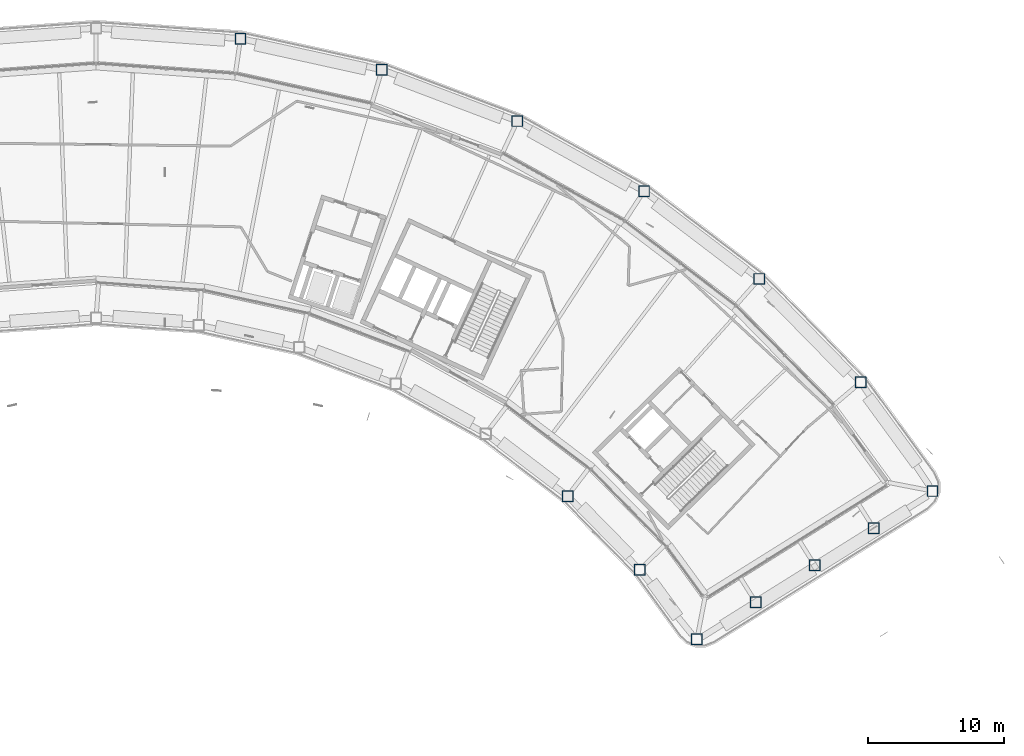
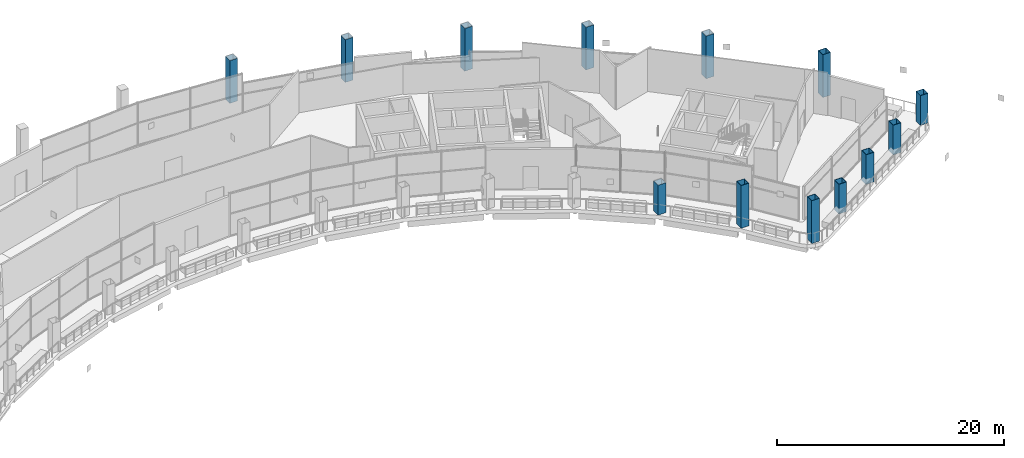
# One storey, part 2 of 29: 13 columns.
"""IFC4 building model written with IfcOpenShell, lengths in metres."""

from ifc_helpers import new_model, si_unit, direction, frame, origin, origin_2d, place, context, subcontext, project, spatial, hollow_rectangle, extrude, material, material_profile, profile_set, type_object, element, save


model = new_model("IFC4")

# Units and contexts
model_context = context("Model", 3, precision=1e-05, world=origin(), true_north=direction((0.0, 1.0)))
body_context = subcontext(model_context, "Body", "Model", "MODEL_VIEW")
ifc_project = project(units=[si_unit("LENGTHUNIT", "METRE"), si_unit("AREAUNIT", "SQUARE_METRE"), si_unit("VOLUMEUNIT", "CUBIC_METRE"), si_unit("PLANEANGLEUNIT", "RADIAN"), si_unit("MASSUNIT", "GRAM", prefix="KILO")], contexts=[model_context])

# Site, building, storey
site_placement = place(None, origin())
site = spatial("IfcSite", under=ifc_project, at=site_placement, CompositionType="ELEMENT")
building_placement = place(site_placement, origin())
building = spatial("IfcBuilding", under=site, at=building_placement, Name="Tuul Gate Civic Tower", CompositionType="ELEMENT")
storey_placement = place(building_placement, frame((0.0, 0.0, 238.89990234375)))
storey = spatial("IfcBuildingStorey", under=building, at=storey_placement, Name="Sky garden level 2", CompositionType="ELEMENT", Elevation=238.89990234375)

# Columns
ifc_material = material(Name="Steel S355", Category="steel")
ifc_material_profile = material_profile(ifc_material, hollow_rectangle(XDim=0.800048828125, YDim=0.800048828125, WallThickness=0.031982421875, at=origin_2d()), Name="BOX800x800x32")
ifc_profile_set = profile_set([ifc_material_profile], Name="Steel S355")
column_type = type_object("IfcColumnType", Name="STR-EXO COLUMN-BOX800x800x32", PredefinedType="COLUMN", material=ifc_profile_set)
column_1_placement = place(storey_placement, frame((67.611083984375, -15.56298828125, 0.0), z_axis=(0.0, 0.0, 1.0), x_axis=(1.0, 0.0, 0.0)))
element("IfcColumn", 1, at=column_1_placement, inside=storey, type_object=column_type, Name="Column", PredefinedType="COLUMN", context=body_context, shape_type="SweptSolid", body=[
    extrude(hollow_rectangle(XDim=0.800048828125, YDim=0.800048828125, WallThickness=0.031982421875, at=origin_2d()), origin(), (0.0, 0.0, 1.0), 3.2001953125),
])
for number, where, z_axis, x_axis, name in (
    (2, (62.31201171875, -7.550048828125, 0.0), (0.0, 0.0, 1.0), (1.0, 0.0, 0.0), "Column"),
    (3, (54.8369140625, 0.074951171875, 0.0), (0.0, 0.0, 1.0), (1.0, 0.0, 0.0), "Column"),
    (4, (46.342041015625, 6.54296875, 0.0), (0.0, 0.0, 1.0), (1.0, 0.0, 0.0), "Column"),
    (5, (37.0029296875, 11.718994140625, 0.0), (0.0, 0.0, 1.0), (1.0, 0.0, 0.0), "Column"),
    (6, (27.01611328125, 15.49609375, 0.0), (0.0, 0.0, 1.0), (1.0, 0.0, 0.0), "Column"),
    (7, (16.589111328125, 17.7939453125, 0.0), (0.0, 0.0, 1.0), (1.0, 0.0, 0.0), "Column"),
):
    element("IfcColumn", number, at=place(storey_placement, frame(where, z_axis=z_axis, x_axis=x_axis)), inside=storey, type_object=column_type, Name=name, PredefinedType="COLUMN", context=body_context, shape_type="SweptSolid", body=[
        extrude(hollow_rectangle(XDim=0.800048828125, YDim=0.800048828125, WallThickness=0.031982421875, at=origin_2d()), origin(), (0.0, 0.0, 1.0), 4.60009765625),
    ])
column_2_placement = place(storey_placement, frame((40.7060546875, -15.93798828125, 0.0), z_axis=(0.0, 0.0, 1.0), x_axis=(1.0, 0.0, 0.0)))
element("IfcColumn", 8, at=column_2_placement, inside=storey, type_object=column_type, Name="Column", PredefinedType="COLUMN", context=body_context, shape_type="SweptSolid", body=[
    extrude(hollow_rectangle(XDim=0.800048828125, YDim=0.800048828125, WallThickness=0.031982421875, at=origin_2d()), origin(), (0.0, 0.0, 1.0), 3.2001953125),
])
for number, where, z_axis, x_axis, name in (
    (9, (46.02099609375, -21.35888671875, 0.0), (0.0, 0.0, 1.0), (1.0, 0.0, 0.0), "Column"),
    (10, (50.240966796875, -26.5009765625, 0.0), (0.0, 0.0, 1.0), (1.0, 0.0, 0.0), "Column"),
):
    element("IfcColumn", number, at=place(storey_placement, frame(where, z_axis=z_axis, x_axis=x_axis)), inside=storey, type_object=column_type, Name=name, PredefinedType="COLUMN", context=body_context, shape_type="SweptSolid", body=[
        extrude(hollow_rectangle(XDim=0.800048828125, YDim=0.800048828125, WallThickness=0.031982421875, at=origin_2d()), origin(), (0.0, 0.0, 1.0), 4.60009765625),
    ])
for number, where, z_axis, x_axis, name in (
    (11, (54.5830078125, -23.76708984375, 0.0), (0.0, 0.0, 1.0), (1.0, 0.0, 0.0), "Column"),
    (12, (58.926025390625, -21.031982421875, 0.0), (0.0, 0.0, 1.0), (1.0, 0.0, 0.0), "Column"),
    (13, (63.26806640625, -18.297119140625, 0.0), (0.0, 0.0, 1.0), (1.0, 0.0, 0.0), "Column"),
):
    element("IfcColumn", number, at=place(storey_placement, frame(where, z_axis=z_axis, x_axis=x_axis)), inside=storey, type_object=column_type, Name=name, PredefinedType="COLUMN", context=body_context, shape_type="SweptSolid", body=[
        extrude(hollow_rectangle(XDim=0.800048828125, YDim=0.800048828125, WallThickness=0.031982421875, at=origin_2d()), origin(), (0.0, 0.0, 1.0), 3.2001953125),
    ])

save(model, "model.ifc")
